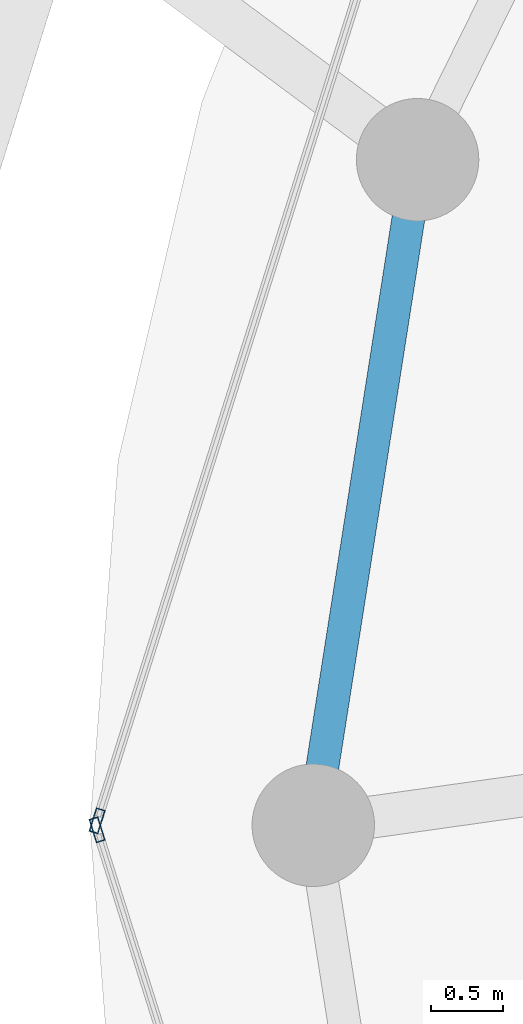
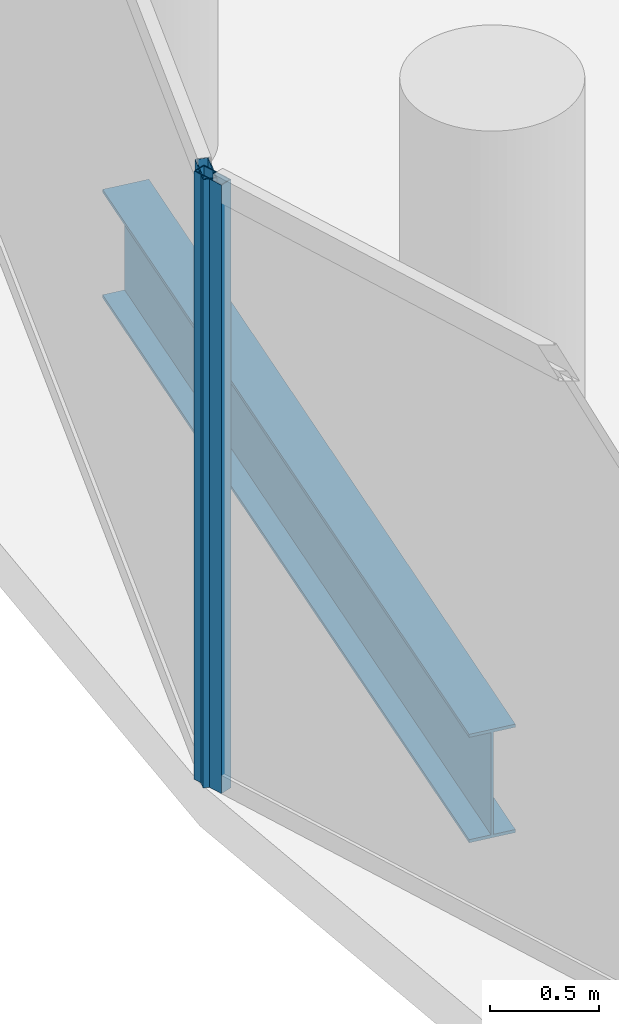
# One storey, part 7 of 27: 2 members, 1 beam, 2 elements without a shape of their own.
"""IFC4 building model written with IfcOpenShell, lengths in metres."""

from ifc_helpers import new_model, si_unit, direction, frame, origin, origin_2d, place, context, subcontext, project, spatial, hollow_rectangle, i_section, extrude, material, layer, layer_set, material_profile, profile_set, type_object, element, aggregate, save


model = new_model("IFC4")

# Units and contexts
model_context = context("Model", 3, precision=1e-05, world=origin(), true_north=direction((0.0, 1.0)))
body_context = subcontext(model_context, "Body", "Model", "MODEL_VIEW")
ifc_project = project(units=[si_unit("LENGTHUNIT", "METRE"), si_unit("AREAUNIT", "SQUARE_METRE"), si_unit("VOLUMEUNIT", "CUBIC_METRE"), si_unit("PLANEANGLEUNIT", "RADIAN"), si_unit("MASSUNIT", "GRAM", prefix="KILO")], contexts=[model_context])

# Site, building, storey
site_placement = place(None, origin())
site = spatial("IfcSite", under=ifc_project, at=site_placement, CompositionType="ELEMENT")
building_placement = place(site_placement, origin())
building = spatial("IfcBuilding", under=site, at=building_placement, Name="Nuhasar Tower", CompositionType="ELEMENT")
storey_placement = place(building_placement, frame((0.0, 0.0, 215.449951171875)))
storey = spatial("IfcBuildingStorey", under=building, at=storey_placement, Name="L52", CompositionType="ELEMENT", Elevation=215.449951171875)

# Beam
ifc_material_1 = material(Name="Steel S355", Category="steel")
ifc_material_profile_1 = material_profile(ifc_material_1, i_section(OverallWidth=0.22802734375, OverallDepth=0.60791015625, WebThickness=0.01123046875, FlangeThickness=0.017333984375, at=origin_2d()), Name="W24X76")
ifc_profile_set_1 = profile_set([ifc_material_profile_1], Name="Steel S355")
beam_type = type_object("IfcBeamType", Name="BM-RING-W24X76", PredefinedType="SPANDREL", material=ifc_profile_set_1)
beam_placement = place(storey_placement, frame((18.47412109375, 31.419921875, -0.5439453125), z_axis=(-0.154849872935, -0.987938012657, 0.0), x_axis=(0.987938012657, -0.154849872935, 0.0)))
element("IfcBeam", 1, at=beam_placement, inside=storey, type_object=beam_type, Name="L52 Perimeter Ring Spandrel 12", PredefinedType="SPANDREL", context=body_context, shape_type="SweptSolid", body=[
    extrude(i_section(OverallWidth=0.22802734375, OverallDepth=0.60791015625, WebThickness=0.01123046875, FlangeThickness=0.017333984375, at=origin_2d()), origin(), (0.0, 0.0, 1.0), 4.67626953125),
])

# Curtain wall, member
ifc_material_2 = material(Name="Aluminium 6063-T6", Category="aluminium")
ifc_layer = layer(ifc_material_2, 0.18994140625)
ifc_layer_set = layer_set([ifc_layer], Name="Aluminium 6063-T6")
curtain_wall_type = type_object("IfcCurtainWallType", Name="CW-Z3-RES", PredefinedType="NOTDEFINED", material=ifc_layer_set)
curtain_wall_1_placement = place(storey_placement, origin())
curtain_wall_1 = element("IfcCurtainWall", 2, at=curtain_wall_1_placement, inside=storey, type_object=curtain_wall_type, Name="L52 Unitised Curtain Wall 06", PredefinedType="NOTDEFINED")
ifc_material_profile_2 = material_profile(ifc_material_2, hollow_rectangle(XDim=0.06494140625, YDim=0.169921875, WallThickness=0.0048828125, at=origin_2d()), Name="CWM-4")
ifc_profile_set_2 = profile_set([ifc_material_profile_2], Name="Aluminium 6063-T6")
member_type = type_object("IfcMemberType", Name="CW-MUL-S4", PredefinedType="MULLION", material=ifc_profile_set_2)
member_1_placement = place(storey_placement, frame((16.249755859375, 26.8310546875, 0.0), z_axis=(0.0, 0.0, 1.0), x_axis=(0.95380429279, -0.30042864553, 0.0)))
member_1 = element("IfcMember", 3, at=member_1_placement, type_object=member_type, Name="CW-Z3 mullion 2", PredefinedType="MULLION", context=body_context, shape_type="SweptSolid", body=[
    extrude(hollow_rectangle(XDim=0.06494140625, YDim=0.169921875, WallThickness=0.0048828125, at=origin_2d()), origin(), (0.0, 0.0, 1.0), 3.41015625),
])
aggregate(curtain_wall_1, [member_1])

curtain_wall_2_placement = place(storey_placement, origin())
curtain_wall_2 = element("IfcCurtainWall", 4, at=curtain_wall_2_placement, inside=storey, type_object=curtain_wall_type, Name="L52 Unitised Curtain Wall 07", PredefinedType="NOTDEFINED")
member_2_placement = place(storey_placement, frame((16.249755859375, 26.76904296875, 0.0), z_axis=(0.0, 0.0, 1.0), x_axis=(0.95380429279, 0.30042864553, 0.0)))
member_2 = element("IfcMember", 5, at=member_2_placement, type_object=member_type, Name="CW-Z3 mullion 1", PredefinedType="MULLION", context=body_context, shape_type="SweptSolid", body=[
    extrude(hollow_rectangle(XDim=0.06494140625, YDim=0.169921875, WallThickness=0.0048828125, at=origin_2d()), origin(), (0.0, 0.0, 1.0), 3.41015625),
])
aggregate(curtain_wall_2, [member_2])

save(model, "model.ifc")
